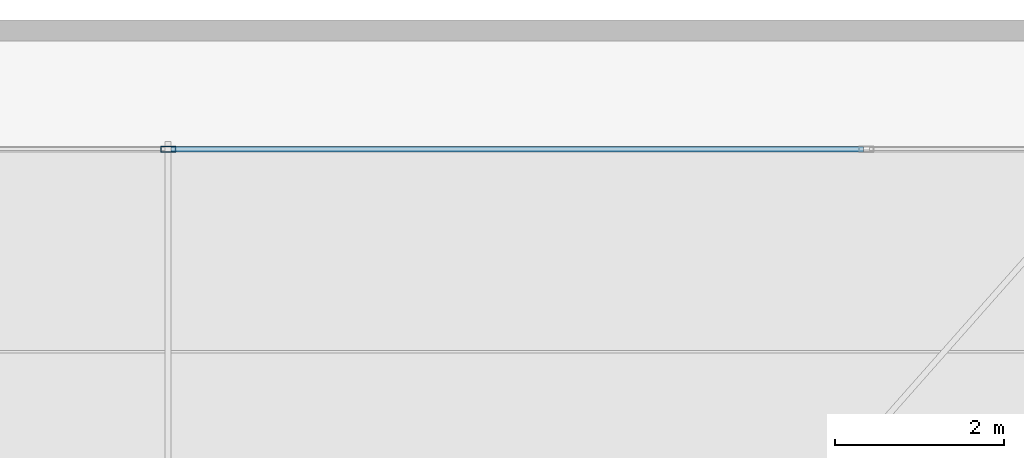
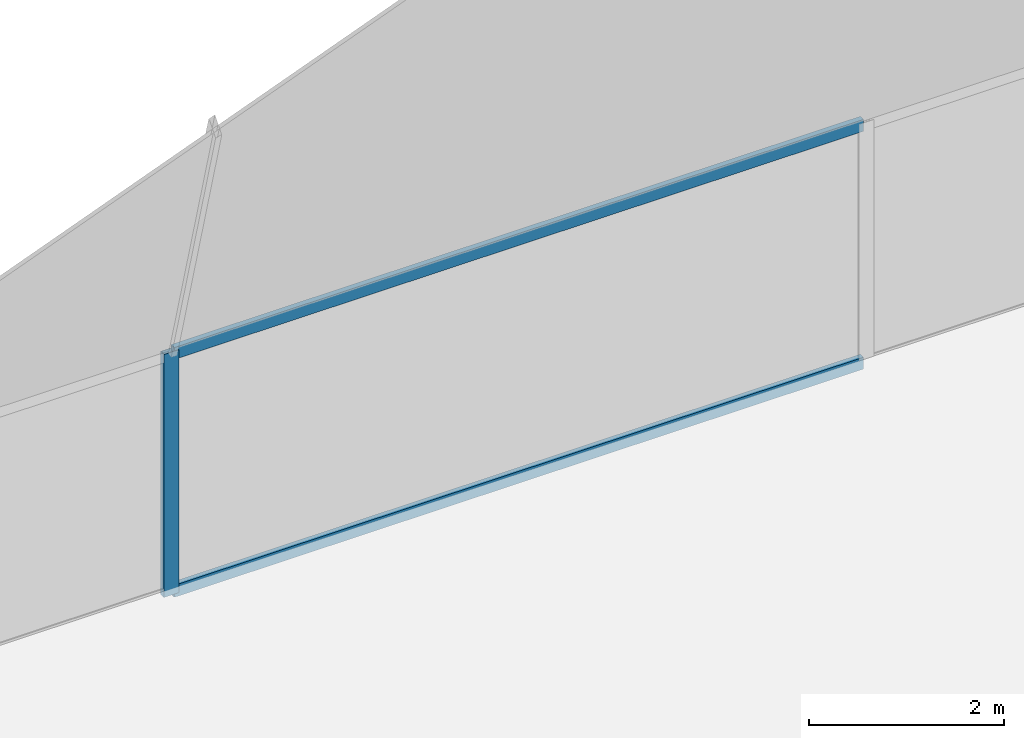
# One storey, part 25 of 32: 3 members, 1 element without a shape of its own.
"""IFC4 building model written with IfcOpenShell, lengths in metres."""

from ifc_helpers import new_model, si_unit, direction, frame, origin, origin_2d, place, context, subcontext, project, spatial, hollow_rectangle, extrude, source, transform, mapped, material, layer, layer_set, material_profile, profile_set, type_object, element, aggregate, save


model = new_model("IFC4")

# Units and contexts
model_context = context("Model", 3, precision=1e-05, world=origin(), true_north=direction((0.0, 1.0)))
body_context = subcontext(model_context, "Body", "Model", "MODEL_VIEW")
ifc_project = project(units=[si_unit("LENGTHUNIT", "METRE"), si_unit("AREAUNIT", "SQUARE_METRE"), si_unit("VOLUMEUNIT", "CUBIC_METRE"), si_unit("PLANEANGLEUNIT", "RADIAN"), si_unit("MASSUNIT", "GRAM", prefix="KILO")], contexts=[model_context])

# Site, building, storey
site_placement = place(None, origin())
site = spatial("IfcSite", under=ifc_project, at=site_placement, CompositionType="ELEMENT")
building_placement = place(site_placement, origin())
building = spatial("IfcBuilding", under=site, at=building_placement, Name="Sumidabori Civic Tower", CompositionType="ELEMENT")
storey_placement = place(building_placement, frame((0.0, 0.0, 298.199951171875)))
storey = spatial("IfcBuildingStorey", under=building, at=storey_placement, Name="RF Roof Crown", CompositionType="ELEMENT", Elevation=298.199951171875)

# Curtain wall, members
ifc_material = material(Name="Anodised Bronze Aluminium AW-6063-T6", Category="aluminium")
ifc_layer = layer(ifc_material, 0.179931640625, Name="Anodised Bronze Aluminium AW-6063-T6")
ifc_layer_set = layer_set([ifc_layer], Name="Anodised Bronze Aluminium AW-6063-T6")
curtain_wall_type = type_object("IfcCurtainWallType", Name="CW-SYS-6", PredefinedType="NOTDEFINED", material=ifc_layer_set)
curtain_wall_placement = place(storey_placement, origin())
curtain_wall = element("IfcCurtainWall", 1, at=curtain_wall_placement, inside=storey, type_object=curtain_wall_type, Name="Glass-Point Crown North Shoulder Curtain Wall", PredefinedType="NOTDEFINED")
ifc_material_profile_1 = material_profile(ifc_material, hollow_rectangle(XDim=0.070068359375, YDim=0.179931640625, WallThickness=0.006103515625, at=origin_2d()), Name="ALU MULLION 180x70")
ifc_profile_set_1 = profile_set([ifc_material_profile_1], Name="Anodised Bronze Aluminium AW-6063-T6")
member_type_1 = type_object("IfcMemberType", Name="CW-MUL-180", PredefinedType="MULLION", material=ifc_profile_set_1)
shared_shape_1 = source(origin(), body_context, "Body", "SweptSolid", [
    extrude(hollow_rectangle(XDim=0.070068359375, YDim=0.179931640625, WallThickness=0.006103515625, at=origin_2d()), origin(), (0.0, 0.0, 1.0), 3.050048828125),
])
member_1_placement = place(storey_placement, frame((0.0, 22.800048828125, 0.0), z_axis=(0.0, 0.0, 1.0), x_axis=(0.0, -1.0, 0.0)))
member_1 = element("IfcMember", 2, at=member_1_placement, type_object=member_type_1, Name="CW-6 mullion 3", PredefinedType="MULLION", context=body_context, shape_type="MappedRepresentation", body=[
    mapped(shared_shape_1, transform((0.0, 0.0, 0.0), x_axis=(1.0, 0.0, 0.0), y_axis=(0.0, 1.0, 0.0), z_axis=(0.0, 0.0, 1.0), scale=1.0)),
])
ifc_material_profile_2 = material_profile(ifc_material, hollow_rectangle(XDim=0.06494140625, YDim=0.14990234375, WallThickness=0.0048828125, at=origin_2d()), Name="ALU TRANSOM 150x65")
ifc_profile_set_2 = profile_set([ifc_material_profile_2], Name="Anodised Bronze Aluminium AW-6063-T6")
member_type_2 = type_object("IfcMemberType", Name="CW-TRN-150", PredefinedType="USERDEFINED", material=ifc_profile_set_2)
shared_shape_2 = source(origin(), body_context, "Body", "SweptSolid", [
    extrude(hollow_rectangle(XDim=0.06494140625, YDim=0.14990234375, WallThickness=0.0048828125, at=origin_2d()), origin(), (0.0, 0.0, 1.0), 8.18017578125),
])
member_2_placement = place(storey_placement, frame((8.215087890625, 22.800048828125, 0.032470703125), z_axis=(-1.0, 0.0, 0.0), x_axis=(0.0, -1.0, 0.0)))
member_2 = element("IfcMember", 3, at=member_2_placement, type_object=member_type_2, Name="CW-6 transom 2.1", ObjectType="TRANSOM", PredefinedType="USERDEFINED", context=body_context, shape_type="MappedRepresentation", body=[
    mapped(shared_shape_2, transform((0.0, 0.0, 0.0), x_axis=(1.0, 0.0, 0.0), y_axis=(0.0, 1.0, 0.0), z_axis=(0.0, 0.0, 1.0), scale=1.0)),
])
member_3_placement = place(storey_placement, frame((8.215087890625, 22.800048828125, 3.017578125), z_axis=(-1.0, 0.0, 0.0), x_axis=(0.0, -1.0, 0.0)))
member_3 = element("IfcMember", 4, at=member_3_placement, type_object=member_type_2, Name="CW-6 transom 2.2", ObjectType="TRANSOM", PredefinedType="USERDEFINED", context=body_context, shape_type="MappedRepresentation", body=[
    mapped(shared_shape_2, transform((0.0, 0.0, 0.0), x_axis=(1.0, 0.0, 0.0), y_axis=(0.0, 1.0, 0.0), z_axis=(0.0, 0.0, 1.0), scale=1.0)),
])
aggregate(curtain_wall, [member_1, member_2, member_3])

save(model, "model.ifc")
